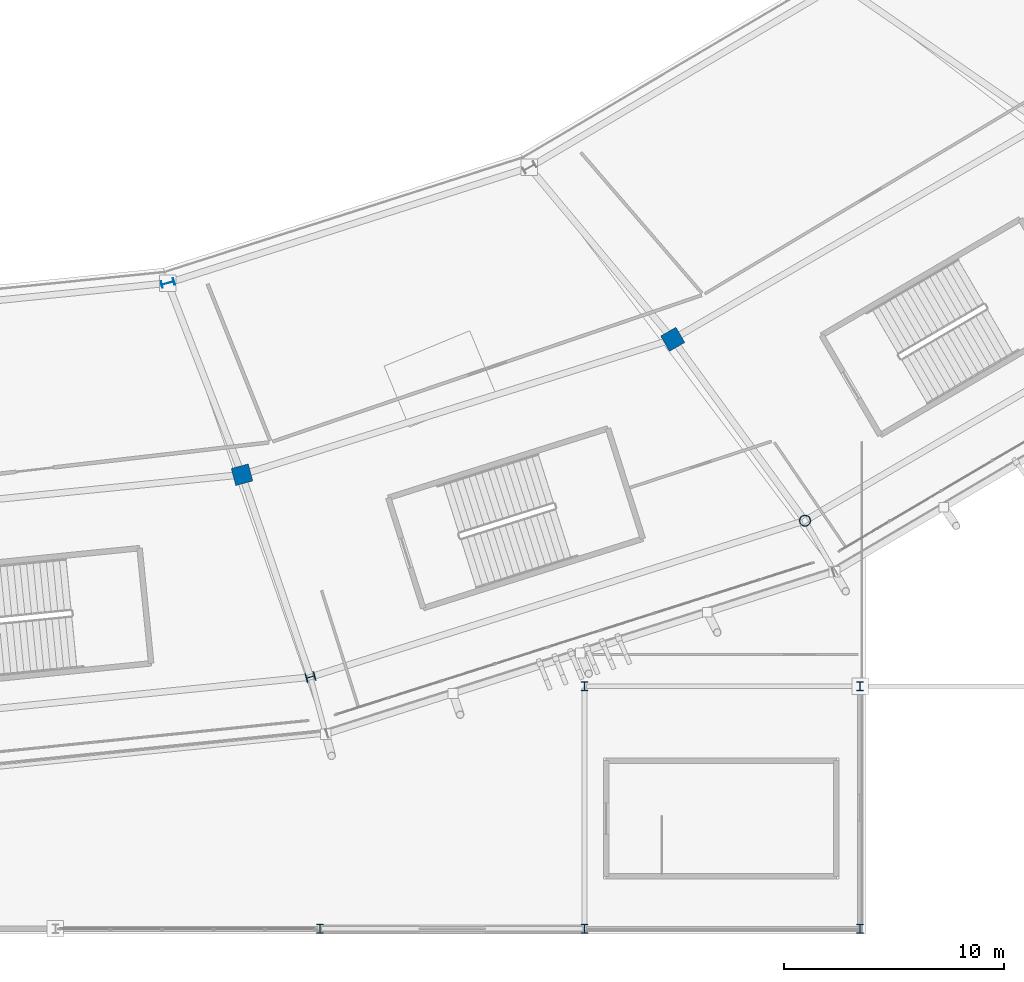
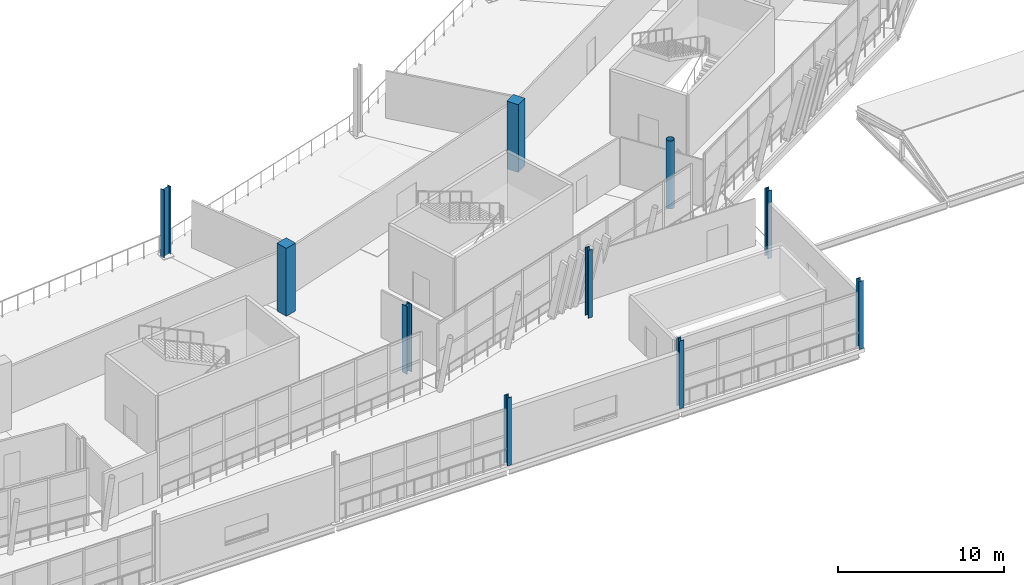
# One storey, part 11 of 179: 10 columns.
"""IFC4 building model written with IfcOpenShell, lengths in metres."""

import ifcopenshell
import ifcopenshell.guid

model = None  # the IFC model being written
_history = None  # IfcOwnerHistory: only IFC2X3 demands one
_inside = {}  # id of a spatial element -> (the spatial element, [elements in it])
_under = {}  # id of a project, library or spatial element -> (it, [spatial elements below it])
_declared = {}  # id of a project -> (the project, [libraries it declares])
_typed = {}  # id of a type object -> (the type object, [elements of that type])
_made_of = {}  # id of a material, layer set ... -> (it, [elements and type objects made of it])


def new_model(schema):
    """Start an empty IFC model of exactly this schema.

    Asked for "IFC4X3", IfcOpenShell would pick the latest addendum, in which some entities
    have other attributes; the version numbers below select the first issue.
    IFC2X3 requires an IfcOwnerHistory on every rooted entity: one is made here for all.
    """
    global model, _history
    if schema == "IFC4X3":
        model = ifcopenshell.file(schema_version=(4, 3, 0, 0))
    else:
        model = ifcopenshell.file(schema=schema)
    _inside.clear()
    _under.clear()
    _declared.clear()
    _typed.clear()
    _made_of.clear()
    _history = None
    if model.schema == "IFC2X3":
        org = make("IfcOrganization", Name="unknown")
        user = make(
            "IfcPersonAndOrganization",
            ThePerson=make("IfcPerson", FamilyName="unknown"),
            TheOrganization=org,
        )
        app = make(
            "IfcApplication",
            ApplicationDeveloper=org,
            Version="unknown",
            ApplicationFullName="unknown",
            ApplicationIdentifier="unknown",
        )
        _history = make(
            "IfcOwnerHistory",
            OwningUser=user,
            OwningApplication=app,
            ChangeAction="ADDED",
            CreationDate=0,
        )
    return model


def make(cls, **values):
    """One entity of the class cls with the attributes given. An attribute that is None is left unset."""
    return model.create_entity(
        cls, **{name: value for name, value in values.items() if value is not None}
    )


def rooted(cls, **values):
    """An entity with a GlobalId (a new one), such as an element, a storey or a relation."""
    return make(cls, GlobalId=ifcopenshell.guid.new(), OwnerHistory=_history, **values)


def si_unit(unit_type, name, prefix=None):
    """IfcSIUnit, for example si_unit("LENGTHUNIT", "METRE", prefix="MILLI")."""
    return make("IfcSIUnit", UnitType=unit_type, Prefix=prefix, Name=name)


def assignment(units):
    """IfcUnitAssignment: the units of a project."""
    return None if units is None else make("IfcUnitAssignment", Units=units)


def point(xyz):
    """IfcCartesianPoint."""
    return None if xyz is None else make("IfcCartesianPoint", Coordinates=xyz)


def direction(xyz):
    """IfcDirection."""
    return None if xyz is None else make("IfcDirection", DirectionRatios=xyz)


def frame(location, z_axis=None, x_axis=None):
    """IfcAxis2Placement3D, a coordinate frame: its origin and axes. An axis left out is left unset."""
    return make(
        "IfcAxis2Placement3D",
        Location=point(location),
        Axis=direction(z_axis),
        RefDirection=direction(x_axis),
    )


def frame_2d(location, x_axis=None):
    """IfcAxis2Placement2D, a coordinate frame in the plane: its origin and x axis."""
    return make(
        "IfcAxis2Placement2D", Location=point(location), RefDirection=direction(x_axis)
    )


def origin():
    """The frame at (0, 0, 0) with its axes left unset."""
    return frame((0.0, 0.0, 0.0))


def origin_2d():
    """The frame at (0, 0) in the plane with its x axis left unset."""
    return frame_2d((0.0, 0.0))


def place(relative_to, where):
    """IfcLocalPlacement: puts the frame where relative to a parent placement (None: the world)."""
    return make(
        "IfcLocalPlacement", PlacementRelTo=relative_to, RelativePlacement=where
    )


def context(
    kind, dimensions, precision=None, world=None, true_north=None, identifier=None
):
    """IfcGeometricRepresentationContext, for example the 3D "Model" context."""
    return make(
        "IfcGeometricRepresentationContext",
        ContextIdentifier=identifier,
        ContextType=kind,
        CoordinateSpaceDimension=dimensions,
        Precision=precision,
        WorldCoordinateSystem=world,
        TrueNorth=true_north,
    )


def subcontext(parent, identifier, kind, view, scale=None):
    """IfcGeometricRepresentationSubContext, for example "Body" below "Model"."""
    return make(
        "IfcGeometricRepresentationSubContext",
        ContextIdentifier=identifier,
        ContextType=kind,
        ParentContext=parent,
        TargetScale=scale,
        TargetView=view,
    )


def project(units=None, contexts=None):
    """IfcProject with its units and contexts."""
    return rooted(
        "IfcProject",
        Name="project",
        RepresentationContexts=contexts,
        UnitsInContext=assignment(units),
    )


def spatial(cls, under=None, at=None, **own):
    """A site, building, storey or space (cls), placed at a placement, below another one or the project."""
    s = rooted(cls, ObjectPlacement=at, **own)
    if under is not None:
        _under.setdefault(under.id(), (under, []))[1].append(s)
    return s


def profile(cls, at=None, kind="AREA", **sizes):
    """A parametric profile (cls). Its sizes go by their IFC names, for example OverallWidth=200.0."""
    return make(cls, ProfileType=kind, Position=at, **sizes)


def rectangle(**sizes):
    """IfcRectangleProfileDef."""
    return profile("IfcRectangleProfileDef", **sizes)


def hollow_circle(**sizes):
    """IfcCircleHollowProfileDef."""
    return profile("IfcCircleHollowProfileDef", **sizes)


def i_section(**sizes):
    """IfcIShapeProfileDef."""
    return profile("IfcIShapeProfileDef", **sizes)


def extrude(swept, where, along, depth):
    """IfcExtrudedAreaSolid: the profile swept, set in the frame where, extruded along a direction by depth."""
    return make(
        "IfcExtrudedAreaSolid",
        SweptArea=swept,
        Position=where,
        ExtrudedDirection=direction(along),
        Depth=depth,
    )


def shape(context_of_items, identifier, shape_type, items):
    """IfcShapeRepresentation: the items that make up one representation, for example the "Body"."""
    return make(
        "IfcShapeRepresentation",
        ContextOfItems=context_of_items,
        RepresentationIdentifier=identifier,
        RepresentationType=shape_type,
        Items=items,
    )


def material(Name=None, Category=None):
    """IfcMaterial."""
    return make("IfcMaterial", Name=Name, Category=Category)


def material_profile(
    of_material, cross_section, Name=None, Category=None, Priority=None
):
    """IfcMaterialProfile: a cross section and its material."""
    return make(
        "IfcMaterialProfile",
        Name=Name,
        Material=of_material,
        Profile=cross_section,
        Priority=Priority,
        Category=Category,
    )


def profile_set(profiles, Name=None, composite=None):
    """IfcMaterialProfileSet."""
    return make(
        "IfcMaterialProfileSet",
        Name=Name,
        MaterialProfiles=profiles,
        CompositeProfile=composite,
    )


def made_of(thing, what):
    """Note that an element or type object is made of a material, layer set ...; save() writes the relation."""
    if what is not None:
        _made_of.setdefault(what.id(), (what, []))[1].append(thing)
    return thing


def type_object(cls, material=None, **own):
    """A type object (cls), such as IfcWallType, which elements share."""
    return made_of(rooted(cls, **own), material)


def element(
    cls,
    number,
    at=None,
    inside=None,
    cuts=None,
    type_object=None,
    material=None,
    context=None,
    identifier="Body",
    shape_type=None,
    held_by="IfcProductDefinitionShape",
    body=None,
    shapes=None,
    **own,
):
    """One element of the class cls, such as IfcWall. Its Tag is "e" and its number.

    at: its placement. inside: the storey or other place that contains it. cuts: it is an
    opening in that element (IfcRelVoidsElement). A single representation is given by context,
    identifier, shape_type and body (its items); several are given by shapes. held_by: the class
    of the entity that holds the representations. save() writes the other relations.
    """
    e = rooted(cls, Tag="e%d" % number, ObjectPlacement=at, **own)
    if body is not None:
        shapes = [shape(context, identifier, shape_type, body)]
    if shapes is not None:
        e.Representation = make(held_by, Representations=shapes)
    if inside is not None:
        _inside.setdefault(inside.id(), (inside, []))[1].append(e)
    if cuts is not None:
        rooted(
            "IfcRelVoidsElement", RelatingBuildingElement=cuts, RelatedOpeningElement=e
        )
    if type_object is not None:
        _typed.setdefault(type_object.id(), (type_object, []))[1].append(e)
    return made_of(e, material)


def aggregate(whole, parts):
    """IfcRelAggregates: a whole, such as a stair, and the parts it consists of."""
    return rooted("IfcRelAggregates", RelatingObject=whole, RelatedObjects=parts)


def save(model, path):
    """Write the relations noted so far, then the file.

    IfcRelAggregates (storeys below a building ...), IfcRelContainedInSpatialStructure (elements
    in a storey), IfcRelDefinesByType, IfcRelAssociatesMaterial and IfcRelDeclares: one each for
    every whole, place, type object, material and project.
    """
    for whole, parts in _under.values():
        aggregate(whole, parts)
    for where, things in _inside.values():
        rooted(
            "IfcRelContainedInSpatialStructure",
            RelatedElements=things,
            RelatingStructure=where,
        )
    for kind, things in _typed.values():
        rooted("IfcRelDefinesByType", RelatedObjects=things, RelatingType=kind)
    for what, things in _made_of.values():
        rooted("IfcRelAssociatesMaterial", RelatedObjects=things, RelatingMaterial=what)
    for by, libraries in _declared.values():
        rooted("IfcRelDeclares", RelatingContext=by, RelatedDefinitions=libraries)
    model.write(path)


model = new_model("IFC4")

# Units and contexts
model_context = context("Model", 3, precision=1e-05, world=origin(), true_north=direction((0.0, 1.0)))
body_context = subcontext(model_context, "Body", "Model", "MODEL_VIEW")
ifc_project = project(units=[si_unit("LENGTHUNIT", "METRE"), si_unit("AREAUNIT", "SQUARE_METRE"), si_unit("VOLUMEUNIT", "CUBIC_METRE"), si_unit("PLANEANGLEUNIT", "RADIAN"), si_unit("MASSUNIT", "GRAM", prefix="KILO")], contexts=[model_context])

# Site, building, storey
site_placement = place(None, origin())
site = spatial("IfcSite", under=ifc_project, at=site_placement, CompositionType="ELEMENT")
building_placement = place(site_placement, origin())
building = spatial("IfcBuilding", under=site, at=building_placement, Name="Zlatoyarsky Gate Stadium", CompositionType="ELEMENT")
storey_placement = place(building_placement, frame((0.0, 0.0, 10.60009765625)))
storey = spatial("IfcBuildingStorey", under=building, at=storey_placement, Name="L02", CompositionType="ELEMENT", Elevation=10.60009765625)

# Columns
ifc_material_1 = material(Name="Concrete C40/50", Category="concrete")
ifc_material_profile_1 = material_profile(ifc_material_1, rectangle(XDim=0.800048828125, YDim=0.800048828125, at=origin_2d()), Name="RC COL 800X800")
ifc_profile_set_1 = profile_set([ifc_material_profile_1], Name="Concrete C40/50")
column_type_1 = type_object("IfcColumnType", Name="CONCRETE COLUMN 800X800", PredefinedType="COLUMN", material=ifc_profile_set_1)
for number, where, z_axis, x_axis, name in (
    (1, (131.96435546875, 20.595703125, 0.0), (0.0, 0.0, 1.0), (0.258819045103, -0.965925826289, 0.0), "Column RC-C80 RB-19 on L02"),
    (2, (151.5, 26.739501953125, 0.0), (0.0, 0.0, 1.0), (0.5, -0.866025403784, 0.0), "Column RC-C80 RB-20 on L02"),
):
    element("IfcColumn", number, at=place(storey_placement, frame(where, z_axis=z_axis, x_axis=x_axis)), inside=storey, type_object=column_type_1, Name=name, PredefinedType="COLUMN", context=body_context, shape_type="SweptSolid", body=[
        extrude(rectangle(XDim=0.800048828125, YDim=0.800048828125, at=origin_2d()), origin(), (0.0, 0.0, 1.0), 5.0),
    ])
ifc_material_2 = material(Name="Steel S355", Category="steel")
ifc_material_profile_2 = material_profile(ifc_material_2, i_section(OverallWidth=0.300048828125, OverallDepth=0.39990234375, WebThickness=0.013427734375, FlangeThickness=0.02392578125, FilletRadius=0.027099609375, at=origin_2d()), Name="HEB 400")
ifc_profile_set_2 = profile_set([ifc_material_profile_2], Name="Steel S355")
column_type_2 = type_object("IfcColumnType", Name="STEEL COLUMN HEB 400", PredefinedType="COLUMN", material=ifc_profile_set_2)
for number, where, z_axis, x_axis, name in (
    (3, (135.5, 0.0, 0.0), (0.0, 0.0, 1.0), (1.0, 0.0, 0.0), "Column ST-C400 WG-12-A on L02"),
    (4, (147.5, 0.0, 0.0), (0.0, 0.0, 1.0), (1.0, 0.0, 0.0), "Column ST-C400 WG-13-A on L02"),
    (5, (147.5, 11.0, 0.0), (0.0, 0.0, 1.0), (1.0, 0.0, 0.0), "Column ST-C400 WG-13-B on L02"),
    (6, (160.0, 0.0, 0.0), (0.0, 0.0, 1.0), (1.0, 0.0, 0.0), "Column ST-C400 WG-14-A on L02"),
    (7, (160.0, 11.0, 0.0), (0.0, 0.0, 1.0), (1.0, 0.0, 0.0), "Column ST-C400 WG-14-B on L02"),
):
    element("IfcColumn", number, at=place(storey_placement, frame(where, z_axis=z_axis, x_axis=x_axis)), inside=storey, type_object=column_type_2, Name=name, PredefinedType="COLUMN", context=body_context, shape_type="SweptSolid", body=[
        extrude(i_section(OverallWidth=0.300048828125, OverallDepth=0.39990234375, WebThickness=0.013427734375, FlangeThickness=0.02392578125, FilletRadius=0.027099609375, at=origin_2d()), origin(), (0.0, 0.0, 1.0), 5.0),
    ])
ifc_material_profile_3 = material_profile(ifc_material_2, i_section(OverallWidth=0.300048828125, OverallDepth=0.60009765625, WebThickness=0.015380859375, FlangeThickness=0.030029296875, FilletRadius=0.027099609375, at=origin_2d()), Name="HEB 600")
ifc_profile_set_3 = profile_set([ifc_material_profile_3], Name="Steel S355")
column_type_3 = type_object("IfcColumnType", Name="STEEL COLUMN HEB 600", PredefinedType="COLUMN", material=ifc_profile_set_3)
column_1_placement = place(storey_placement, frame((128.599609375, 29.288818359375, 0.0), z_axis=(0.0, 0.0, 1.0), x_axis=(0.258819045103, -0.965925826289, 0.0)))
element("IfcColumn", 8, at=column_1_placement, inside=storey, type_object=column_type_3, Name="Column ST-C600 RA-19 on L02", PredefinedType="COLUMN", context=body_context, shape_type="SweptSolid", body=[
    extrude(i_section(OverallWidth=0.300048828125, OverallDepth=0.60009765625, WebThickness=0.015380859375, FlangeThickness=0.030029296875, FilletRadius=0.027099609375, at=origin_2d()), origin(), (0.0, 0.0, 1.0), 5.0),
])
ifc_material_profile_4 = material_profile(ifc_material_2, i_section(OverallWidth=0.406005859375, OverallDepth=0.416015625, WebThickness=0.02392578125, FlangeThickness=0.0390625, FilletRadius=0.014892578125, at=origin_2d()), Name="HD 400X382")
ifc_profile_set_4 = profile_set([ifc_material_profile_4], Name="Steel S355")
column_type_4 = type_object("IfcColumnType", Name="STEEL PORTAL PILASTER HD 400X382", PredefinedType="PILASTER", material=ifc_profile_set_4)
column_2_placement = place(storey_placement, frame((135.0703125, 11.419189453125, 0.0), z_axis=(0.0, 0.0, 1.0), x_axis=(0.258819045103, -0.965925826289, 0.0)))
element("IfcColumn", 9, at=column_2_placement, inside=storey, type_object=column_type_4, Name="Column ST-CHD RC-19 on L02", PredefinedType="PILASTER", context=body_context, shape_type="SweptSolid", body=[
    extrude(i_section(OverallWidth=0.406005859375, OverallDepth=0.416015625, WebThickness=0.02392578125, FlangeThickness=0.0390625, FilletRadius=0.014892578125, at=origin_2d()), origin(), (0.0, 0.0, 1.0), 5.0),
])
ifc_material_profile_5 = material_profile(ifc_material_2, hollow_circle(Radius=0.25390625, WallThickness=0.02490234375, at=origin_2d()), Name="CHS 508X25")
ifc_profile_set_5 = profile_set([ifc_material_profile_5], Name="Steel S355")
column_type_5 = type_object("IfcColumnType", Name="STEEL TUBULAR COLUMN CHS 508X25", PredefinedType="COLUMN", material=ifc_profile_set_5)
column_3_placement = place(storey_placement, frame((157.5, 18.51220703125, 0.0), z_axis=(0.0, 0.0, 1.0), x_axis=(0.5, -0.866025403784, 0.0)))
element("IfcColumn", 10, at=column_3_placement, inside=storey, type_object=column_type_5, Name="Column ST-C508 RC-20 on L02", PredefinedType="COLUMN", context=body_context, shape_type="SweptSolid", body=[
    extrude(hollow_circle(Radius=0.25390625, WallThickness=0.02490234375, at=origin_2d()), origin(), (0.0, 0.0, 1.0), 5.0),
])

save(model, "model.ifc")
